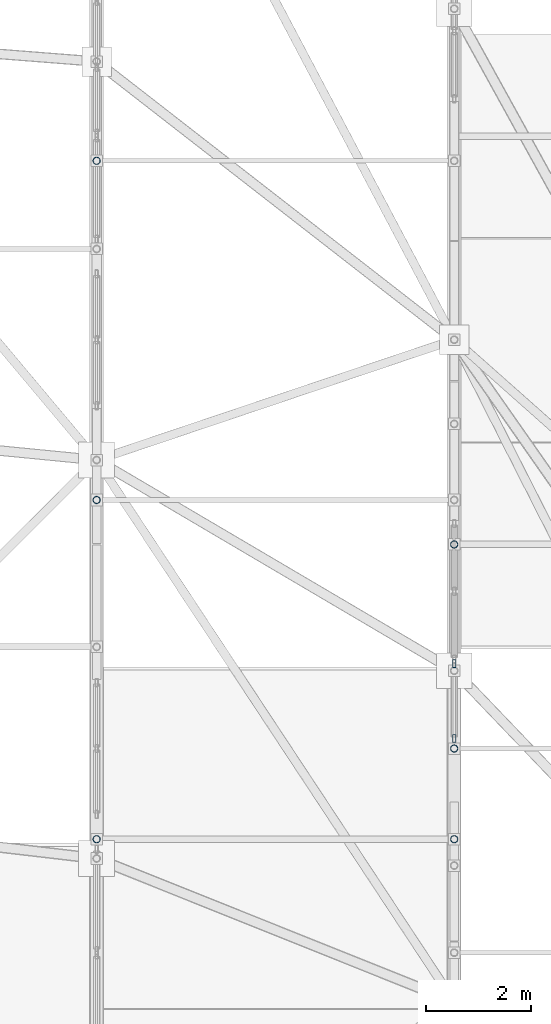
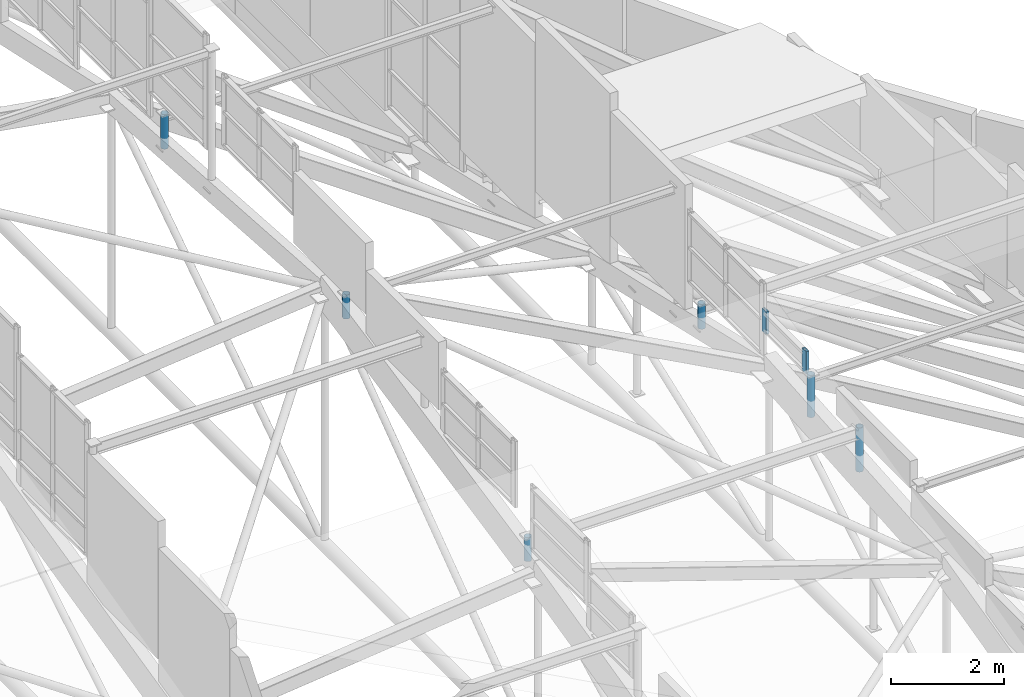
# One storey, part 131 of 188: 8 members, 1 element without a shape of its own.
"""IFC4 building model written with IfcOpenShell, lengths in metres."""

from ifc_helpers import new_model, si_unit, direction, frame, origin, origin_2d, place, context, subcontext, project, spatial, hollow_rectangle, hollow_circle, extrude, material, layer, layer_set, material_profile, profile_set, type_object, element, aggregate, save


model = new_model("IFC4")

# Units and contexts
model_context = context("Model", 3, precision=1e-05, world=origin(), true_north=direction((0.0, 1.0)))
body_context = subcontext(model_context, "Body", "Model", "MODEL_VIEW")
ifc_project = project(units=[si_unit("LENGTHUNIT", "METRE"), si_unit("AREAUNIT", "SQUARE_METRE"), si_unit("VOLUMEUNIT", "CUBIC_METRE"), si_unit("PLANEANGLEUNIT", "RADIAN"), si_unit("MASSUNIT", "GRAM", prefix="KILO")], contexts=[model_context])

# Site, building, storey
site_placement = place(None, origin())
site = spatial("IfcSite", under=ifc_project, at=site_placement, CompositionType="ELEMENT")
building_placement = place(site_placement, origin())
building = spatial("IfcBuilding", under=site, at=building_placement, Name="Kisaragi Civic Commons", CompositionType="ELEMENT")
storey_placement = place(building_placement, frame((0.0, 0.0, 9.60009765625)))
storey = spatial("IfcBuildingStorey", under=building, at=storey_placement, Name="L02", CompositionType="ELEMENT", Elevation=9.60009765625)

# Curtain wall, members
ifc_material_1 = material(Name="Thermally broken anodized aluminium and low-E double glazing", Category="aluminium")
ifc_layer = layer(ifc_material_1, 0.14990234375, Name="Thermally broken anodized aluminium and low-E double glazing", Category="aluminium")
ifc_layer_set = layer_set([ifc_layer], Name="Thermally broken anodized aluminium and low-E double glazing")
curtain_wall_type = type_object("IfcCurtainWallType", Name="CW-03", PredefinedType="NOTDEFINED", material=ifc_layer_set)
curtain_wall_placement = place(storey_placement, origin())
curtain_wall = element("IfcCurtainWall", 1, at=curtain_wall_placement, inside=storey, type_object=curtain_wall_type, Name="L02 curtain wall CW-03 CW-CL-V1-167", PredefinedType="NOTDEFINED")
ifc_material_profile_1 = material_profile(ifc_material_1, hollow_rectangle(XDim=0.06005859375, YDim=0.14990234375, WallThickness=0.00390625, InnerFilletRadius=0.00390625, OuterFilletRadius=0.008056640625, at=origin_2d()), Name="CWM-60x150x4", Category="aluminium")
ifc_profile_set_1 = profile_set([ifc_material_profile_1], Name="Thermally broken anodized aluminium and low-E double glazing")
member_type_1 = type_object("IfcMemberType", Name="CWM-01", PredefinedType="MULLION", material=ifc_profile_set_1)
member_1_placement = place(storey_placement, frame((27.199951171875, 19.2158203125, 4.06201171875), z_axis=(0.0, 0.0, 1.0), x_axis=(-1.0, 0.0, 0.0)))
member_1 = element("IfcMember", 2, at=member_1_placement, type_object=member_type_1, Name="CW-03 mullion 1", PredefinedType="MULLION", context=body_context, shape_type="SweptSolid", body=[
    extrude(hollow_rectangle(XDim=0.06005859375, YDim=0.14990234375, WallThickness=0.00390625, InnerFilletRadius=0.00390625, OuterFilletRadius=0.008056640625, at=origin_2d()), origin(), (0.0, 0.0, 1.0), 0.4921875),
])
member_2_placement = place(storey_placement, frame((27.199951171875, 20.64111328125, 4.06201171875), z_axis=(0.0, 0.0, 1.0), x_axis=(-1.0, 0.0, 0.0)))
member_2 = element("IfcMember", 3, at=member_2_placement, type_object=member_type_1, Name="CW-03 mullion 2", PredefinedType="MULLION", context=body_context, shape_type="SweptSolid", body=[
    extrude(hollow_rectangle(XDim=0.06005859375, YDim=0.14990234375, WallThickness=0.00390625, InnerFilletRadius=0.00390625, OuterFilletRadius=0.008056640625, at=origin_2d()), origin(), (0.0, 0.0, 1.0), 0.4921875),
])
aggregate(curtain_wall, [member_1, member_2])

# Members
ifc_material_2 = material(Name="Steel SN490 (SN490B)", Category="steel")
ifc_material_profile_2 = material_profile(ifc_material_2, hollow_circle(Radius=0.06982421875, WallThickness=0.006103515625, at=origin_2d()), Name="CHS-139.8x6.0", Category="steel")
ifc_profile_set_2 = profile_set([ifc_material_profile_2], Name="Steel SN490 (SN490B)")
member_type_2 = type_object("IfcMemberType", Name="ST-H1", PredefinedType="STRUT", material=ifc_profile_set_2)
member_3_placement = place(storey_placement, frame((20.39990234375, 17.302001953125, 3.541015625), z_axis=(0.0, 0.0, 1.0), x_axis=(1.0, 0.0, 0.0)))
element("IfcMember", 4, at=member_3_placement, inside=storey, type_object=member_type_2, Name="V1 clerestory monitor horizontal tie strut 4.3.3", PredefinedType="STRUT", context=body_context, shape_type="SweptSolid", body=[
    extrude(hollow_circle(Radius=0.06982421875, WallThickness=0.006103515625, at=origin_2d()), origin(), (0.0, 0.0, 1.0), 0.51611328125),
])
member_4_placement = place(storey_placement, frame((27.199951171875, 17.302001953125, 3.099609375), z_axis=(0.0, 0.0, 1.0), x_axis=(1.0, 0.0, 0.0)))
element("IfcMember", 5, at=member_4_placement, inside=storey, type_object=member_type_2, Name="V1 clerestory monitor horizontal tie strut 4.4.3", PredefinedType="STRUT", context=body_context, shape_type="SweptSolid", body=[
    extrude(hollow_circle(Radius=0.06982421875, WallThickness=0.006103515625, at=origin_2d()), origin(), (0.0, 0.0, 1.0), 0.95751953125),
])
member_5_placement = place(storey_placement, frame((20.39990234375, 23.75244140625, 4.885498046875), z_axis=(0.0, 0.0, 1.0), x_axis=(1.0, 0.0, 0.0)))
element("IfcMember", 6, at=member_5_placement, inside=storey, type_object=member_type_2, Name="V1 clerestory monitor horizontal tie strut 4.3.4", PredefinedType="STRUT", context=body_context, shape_type="SweptSolid", body=[
    extrude(hollow_circle(Radius=0.06982421875, WallThickness=0.006103515625, at=origin_2d()), origin(), (0.0, 0.0, 1.0), 0.52001953125),
])
member_6_placement = place(storey_placement, frame((20.39990234375, 30.202880859375, 4.657470703125), z_axis=(0.0, 0.0, 1.0), x_axis=(1.0, 0.0, 0.0)))
element("IfcMember", 7, at=member_6_placement, inside=storey, type_object=member_type_2, Name="V1 clerestory monitor horizontal tie strut 4.3.5", PredefinedType="STRUT", context=body_context, shape_type="SweptSolid", body=[
    extrude(hollow_circle(Radius=0.06982421875, WallThickness=0.006103515625, at=origin_2d()), origin(), (0.0, 0.0, 1.0), 0.748046875),
])
member_7_placement = place(storey_placement, frame((27.199951171875, 19.02587890625, 3.235107421875), z_axis=(0.0, 0.0, 1.0), x_axis=(1.0, 0.0, 0.0)))
element("IfcMember", 8, at=member_7_placement, inside=storey, type_object=member_type_2, Name="V1 clerestory monitor horizontal tie strut 5.4.5", PredefinedType="STRUT", context=body_context, shape_type="SweptSolid", body=[
    extrude(hollow_circle(Radius=0.06982421875, WallThickness=0.006103515625, at=origin_2d()), origin(), (0.0, 0.0, 1.0), 0.91357421875),
])
member_8_placement = place(storey_placement, frame((27.199951171875, 22.907470703125, 2.797119140625), z_axis=(0.0, 0.0, 1.0), x_axis=(1.0, 0.0, 0.0)))
element("IfcMember", 9, at=member_8_placement, inside=storey, type_object=member_type_2, Name="V1 clerestory monitor horizontal tie strut 5.4.6", PredefinedType="STRUT", context=body_context, shape_type="SweptSolid", body=[
    extrude(hollow_circle(Radius=0.06982421875, WallThickness=0.006103515625, at=origin_2d()), origin(), (0.0, 0.0, 1.0), 0.53759765625),
])

save(model, "model.ifc")
